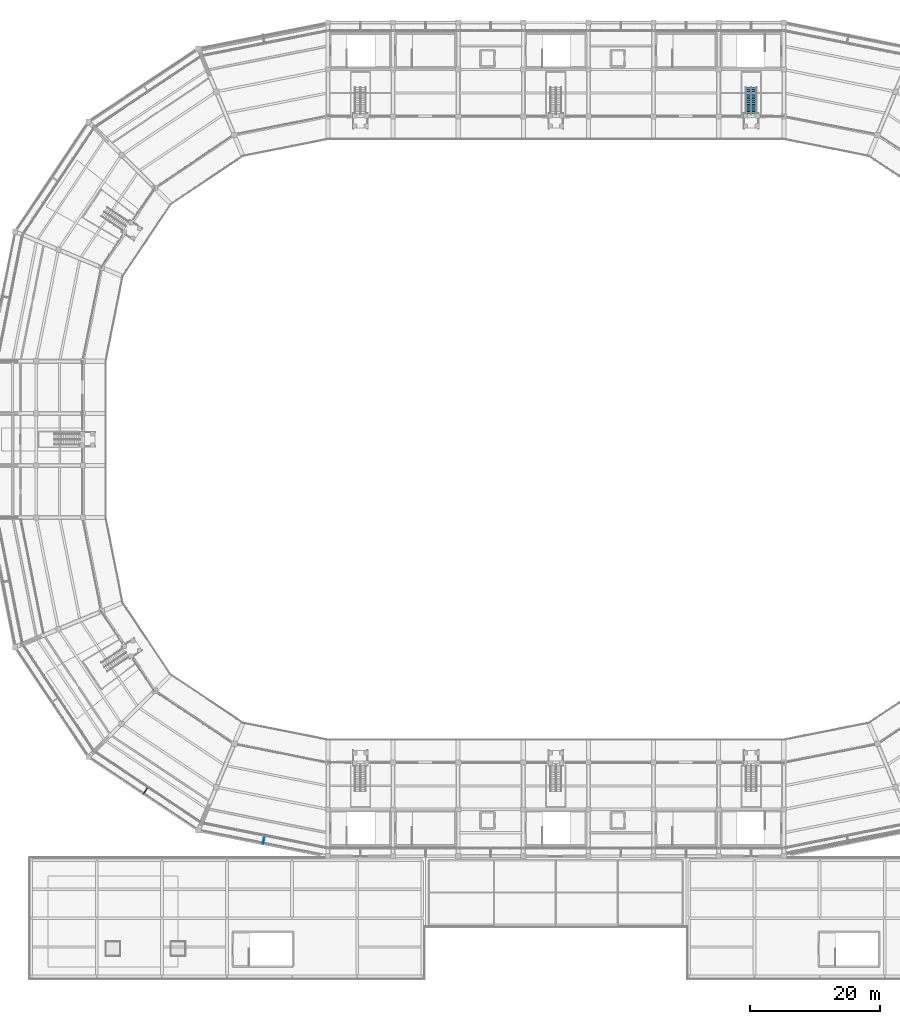
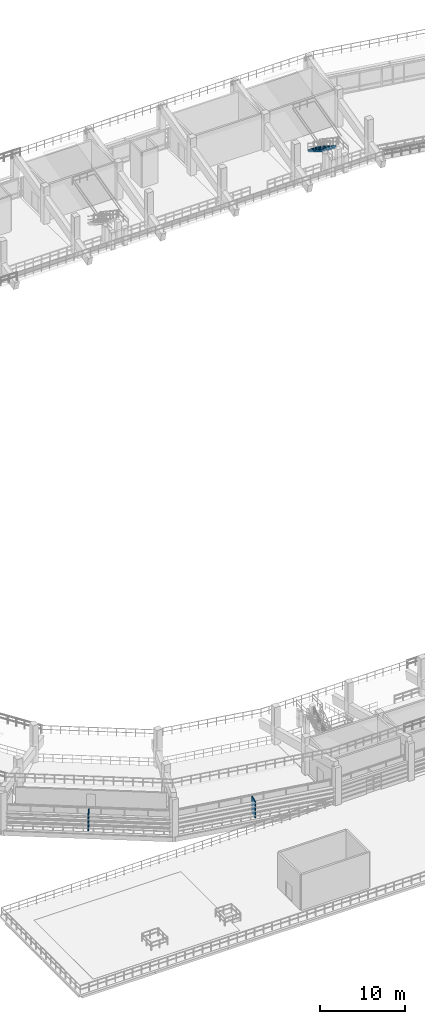
# One storey, part 70 of 96: 2 discrete accessories, 1 stair flight, 1 element without a shape of its own.
"""IFC4 building model written with IfcOpenShell, lengths in metres."""

from ifc_helpers import new_model, si_unit, direction, frame, origin, origin_2d, place, context, subcontext, project, spatial, polyline, rectangle, outline, extrude, material, type_object, element, aggregate, save


model = new_model("IFC4")

# Units and contexts
model_context = context("Model", 3, precision=1e-05, world=origin(), true_north=direction((0.0, 1.0)))
body_context = subcontext(model_context, "Body", "Model", "MODEL_VIEW")
ifc_project = project(units=[si_unit("LENGTHUNIT", "METRE"), si_unit("AREAUNIT", "SQUARE_METRE"), si_unit("VOLUMEUNIT", "CUBIC_METRE"), si_unit("PLANEANGLEUNIT", "RADIAN"), si_unit("MASSUNIT", "GRAM", prefix="KILO")], contexts=[model_context])

# Site, building, storey
site_placement = place(None, origin())
site = spatial("IfcSite", under=ifc_project, at=site_placement, CompositionType="ELEMENT")
building_placement = place(site_placement, origin())
building = spatial("IfcBuilding", under=site, at=building_placement, Name="Candeia Ridge Stadium", CompositionType="ELEMENT")
storey_placement = place(building_placement, frame((0.0, 0.0, 21.60009765625)))
storey = spatial("IfcBuildingStorey", under=building, at=storey_placement, Name="L04", CompositionType="ELEMENT", Elevation=21.60009765625)

# Stair, stair flight
ifc_material_1 = material(Name="Precast concrete C45/55", Category="concrete")
stair_type = type_object("IfcStairType", Name="Spectator Vomitory Straight Stair 2200", PredefinedType="STRAIGHT_RUN_STAIR", material=ifc_material_1)
stair_placement = place(storey_placement, origin())
stair = element("IfcStair", 1, at=stair_placement, inside=storey, type_object=stair_type, Name="Vomitory stair VS25", PredefinedType="STRAIGHT_RUN_STAIR")
stair_flight_type = type_object("IfcStairFlightType", Name="Vomitory Precast Stair Flight 2200", PredefinedType="STRAIGHT", material=ifc_material_1)
stair_flight_placement = place(storey_placement, frame((136.0, 137.02197265625, 0.0), z_axis=(0.0, 0.0, 1.0), x_axis=(0.0, -1.0, 0.0)))
stair_flight = element("IfcStairFlight", 2, at=stair_flight_placement, type_object=stair_flight_type, Name="VS25 flight 1", NumberOfRisers=15, NumberOfTreads=14, PredefinedType="STRAIGHT", RiserHeight=0.1796, TreadLength=0.285, context=body_context, shape_type="SweptSolid", body=[
    extrude(outline(polyline([(0.0, 0.0), (0.0, 0.1796875), (0.284912109375, 0.1796875), (0.284912109375, 0.359130859375), (0.570068359375, 0.359130859375), (0.570068359375, 0.538818359375), (0.85498046875, 0.538818359375), (0.85498046875, 0.718505859375), (1.139892578125, 0.718505859375), (1.139892578125, 0.89794921875), (1.425048828125, 0.89794921875), (1.425048828125, 1.07763671875), (1.7099609375, 1.07763671875), (1.7099609375, 1.257080078125), (1.9951171875, 1.257080078125), (1.9951171875, 1.436767578125), (2.280029296875, 1.436767578125), (2.280029296875, 1.616455078125), (2.56494140625, 1.616455078125), (2.56494140625, 1.7958984375), (2.85009765625, 1.7958984375), (2.85009765625, 1.9755859375), (3.135009765625, 1.9755859375), (3.135009765625, 2.1552734375), (3.419921875, 2.1552734375), (3.419921875, 2.334716796875), (3.705078125, 2.334716796875), (3.705078125, 2.514404296875), (3.989990234375, 2.514404296875), (3.989990234375, 2.694091796875), (3.989990234375, 2.3017578125), (0.33740234375, 0.0), (0.0, 0.0)])), frame((0.0, 0.800048828125, 0.0), z_axis=(0.0, -1.0, 0.0), x_axis=(1.0, 0.0, 0.0)), (0.0, 0.0, 1.0), 1.60009765625),
])
aggregate(stair, [stair_flight])

# Discrete accessories
ifc_material_2 = material(Name="Steel ASTM A572 Grade 50", Category="steel")
discrete_accessory_type = type_object("IfcDiscreteAccessoryType", Name="Solar Rib Outrigger Bracket BRK1", PredefinedType="BRACKET", material=ifc_material_2)
for number, where, z_axis, x_axis, name in (
    (3, (42.992431640625, 29.083740234375, 0.19970703125), (0.0, 0.0, 1.0), (-0.555570172084, -0.831469653018, 0.0), "Solar rib steel outrigger bracket L04 bay 17"),
    (4, (61.1650390625, 21.556396484375, 0.19970703125), (0.0, 0.0, 1.0), (-0.19509022785, -0.980785299134, 0.0), "Solar rib steel outrigger bracket L04 bay 18"),
):
    element("IfcDiscreteAccessory", number, at=place(storey_placement, frame(where, z_axis=z_axis, x_axis=x_axis)), inside=storey, type_object=discrete_accessory_type, Name=name, PredefinedType="BRACKET", context=body_context, shape_type="SweptSolid", body=[
        extrude(rectangle(XDim=1.35009765625, YDim=0.1201171875, at=origin_2d()), origin(), (0.0, 0.0, 1.0), 2.372314453125),
    ])

save(model, "model.ifc")
